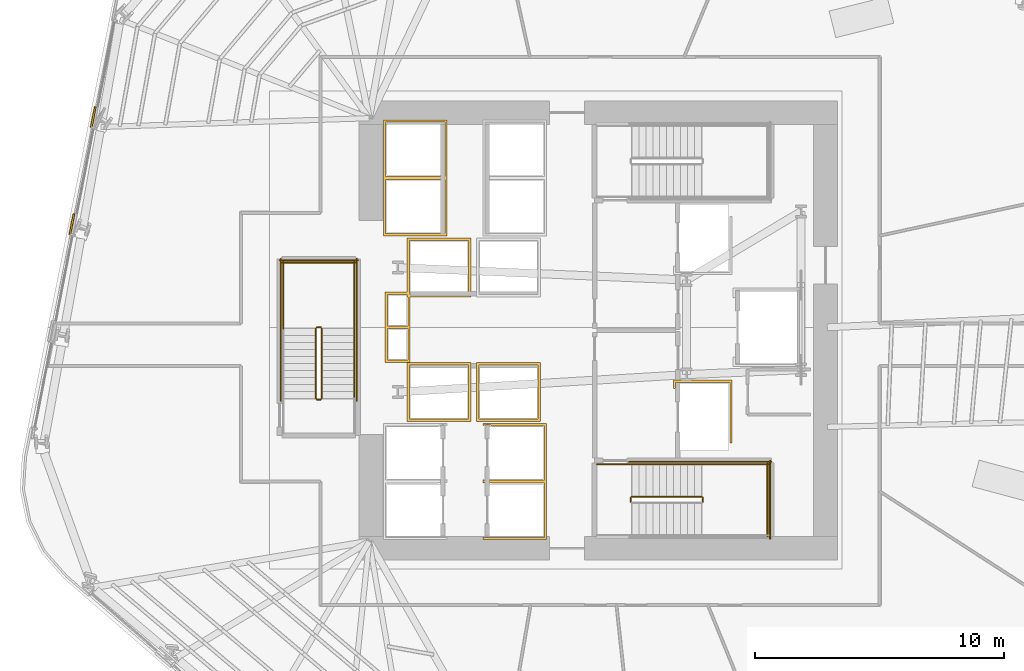
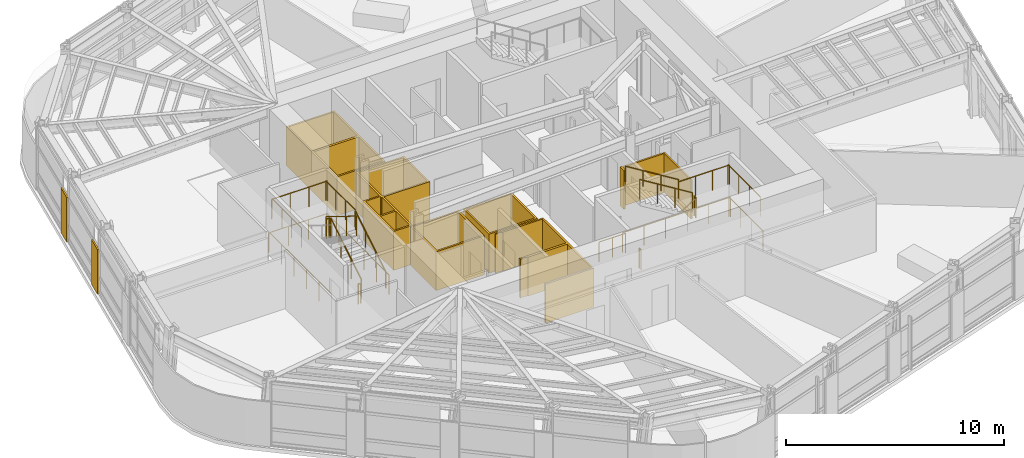
# One storey, part 12 of 16: 20 railings, 8 coverings.
"""IFC4 building model written with IfcOpenShell, lengths in metres."""

import ifcopenshell
import ifcopenshell.guid

model = None  # the IFC model being written
_history = None  # IfcOwnerHistory: only IFC2X3 demands one
_inside = {}  # id of a spatial element -> (the spatial element, [elements in it])
_under = {}  # id of a project, library or spatial element -> (it, [spatial elements below it])
_declared = {}  # id of a project -> (the project, [libraries it declares])
_typed = {}  # id of a type object -> (the type object, [elements of that type])
_made_of = {}  # id of a material, layer set ... -> (it, [elements and type objects made of it])


def new_model(schema):
    """Start an empty IFC model of exactly this schema.

    Asked for "IFC4X3", IfcOpenShell would pick the latest addendum, in which some entities
    have other attributes; the version numbers below select the first issue.
    IFC2X3 requires an IfcOwnerHistory on every rooted entity: one is made here for all.
    """
    global model, _history
    if schema == "IFC4X3":
        model = ifcopenshell.file(schema_version=(4, 3, 0, 0))
    else:
        model = ifcopenshell.file(schema=schema)
    _inside.clear()
    _under.clear()
    _declared.clear()
    _typed.clear()
    _made_of.clear()
    _history = None
    if model.schema == "IFC2X3":
        org = make("IfcOrganization", Name="unknown")
        user = make(
            "IfcPersonAndOrganization",
            ThePerson=make("IfcPerson", FamilyName="unknown"),
            TheOrganization=org,
        )
        app = make(
            "IfcApplication",
            ApplicationDeveloper=org,
            Version="unknown",
            ApplicationFullName="unknown",
            ApplicationIdentifier="unknown",
        )
        _history = make(
            "IfcOwnerHistory",
            OwningUser=user,
            OwningApplication=app,
            ChangeAction="ADDED",
            CreationDate=0,
        )
    return model


def make(cls, **values):
    """One entity of the class cls with the attributes given. An attribute that is None is left unset."""
    return model.create_entity(
        cls, **{name: value for name, value in values.items() if value is not None}
    )


def rooted(cls, **values):
    """An entity with a GlobalId (a new one), such as an element, a storey or a relation."""
    return make(cls, GlobalId=ifcopenshell.guid.new(), OwnerHistory=_history, **values)


def si_unit(unit_type, name, prefix=None):
    """IfcSIUnit, for example si_unit("LENGTHUNIT", "METRE", prefix="MILLI")."""
    return make("IfcSIUnit", UnitType=unit_type, Prefix=prefix, Name=name)


def assignment(units):
    """IfcUnitAssignment: the units of a project."""
    return None if units is None else make("IfcUnitAssignment", Units=units)


def point(xyz):
    """IfcCartesianPoint."""
    return None if xyz is None else make("IfcCartesianPoint", Coordinates=xyz)


def direction(xyz):
    """IfcDirection."""
    return None if xyz is None else make("IfcDirection", DirectionRatios=xyz)


def frame(location, z_axis=None, x_axis=None):
    """IfcAxis2Placement3D, a coordinate frame: its origin and axes. An axis left out is left unset."""
    return make(
        "IfcAxis2Placement3D",
        Location=point(location),
        Axis=direction(z_axis),
        RefDirection=direction(x_axis),
    )


def frame_2d(location, x_axis=None):
    """IfcAxis2Placement2D, a coordinate frame in the plane: its origin and x axis."""
    return make(
        "IfcAxis2Placement2D", Location=point(location), RefDirection=direction(x_axis)
    )


def origin():
    """The frame at (0, 0, 0) with its axes left unset."""
    return frame((0.0, 0.0, 0.0))


def origin_2d():
    """The frame at (0, 0) in the plane with its x axis left unset."""
    return frame_2d((0.0, 0.0))


def place(relative_to, where):
    """IfcLocalPlacement: puts the frame where relative to a parent placement (None: the world)."""
    return make(
        "IfcLocalPlacement", PlacementRelTo=relative_to, RelativePlacement=where
    )


def context(
    kind, dimensions, precision=None, world=None, true_north=None, identifier=None
):
    """IfcGeometricRepresentationContext, for example the 3D "Model" context."""
    return make(
        "IfcGeometricRepresentationContext",
        ContextIdentifier=identifier,
        ContextType=kind,
        CoordinateSpaceDimension=dimensions,
        Precision=precision,
        WorldCoordinateSystem=world,
        TrueNorth=true_north,
    )


def subcontext(parent, identifier, kind, view, scale=None):
    """IfcGeometricRepresentationSubContext, for example "Body" below "Model"."""
    return make(
        "IfcGeometricRepresentationSubContext",
        ContextIdentifier=identifier,
        ContextType=kind,
        ParentContext=parent,
        TargetScale=scale,
        TargetView=view,
    )


def project(units=None, contexts=None):
    """IfcProject with its units and contexts."""
    return rooted(
        "IfcProject",
        Name="project",
        RepresentationContexts=contexts,
        UnitsInContext=assignment(units),
    )


def spatial(cls, under=None, at=None, **own):
    """A site, building, storey or space (cls), placed at a placement, below another one or the project."""
    s = rooted(cls, ObjectPlacement=at, **own)
    if under is not None:
        _under.setdefault(under.id(), (under, []))[1].append(s)
    return s


def polyline(points):
    """IfcPolyline through the points."""
    return make("IfcPolyline", Points=[point(p) for p in points])


def profile(cls, at=None, kind="AREA", **sizes):
    """A parametric profile (cls). Its sizes go by their IFC names, for example OverallWidth=200.0."""
    return make(cls, ProfileType=kind, Position=at, **sizes)


def circle(**sizes):
    """IfcCircleProfileDef."""
    return profile("IfcCircleProfileDef", **sizes)


def outline(outer, holes=None, kind="AREA"):
    """IfcArbitraryClosedProfileDef: a profile drawn as a closed curve; with holes, ...WithVoids."""
    if holes is None:
        return make("IfcArbitraryClosedProfileDef", ProfileType=kind, OuterCurve=outer)
    return make(
        "IfcArbitraryProfileDefWithVoids",
        ProfileType=kind,
        OuterCurve=outer,
        InnerCurves=holes,
    )


def extrude(swept, where, along, depth):
    """IfcExtrudedAreaSolid: the profile swept, set in the frame where, extruded along a direction by depth."""
    return make(
        "IfcExtrudedAreaSolid",
        SweptArea=swept,
        Position=where,
        ExtrudedDirection=direction(along),
        Depth=depth,
    )


def shape(context_of_items, identifier, shape_type, items):
    """IfcShapeRepresentation: the items that make up one representation, for example the "Body"."""
    return make(
        "IfcShapeRepresentation",
        ContextOfItems=context_of_items,
        RepresentationIdentifier=identifier,
        RepresentationType=shape_type,
        Items=items,
    )


def material(Name=None, Category=None):
    """IfcMaterial."""
    return make("IfcMaterial", Name=Name, Category=Category)


def layer(
    of_material, thickness, ventilated=None, Name=None, Category=None, Priority=None
):
    """IfcMaterialLayer: one layer of a wall or slab, of a material (None: an air gap)."""
    return make(
        "IfcMaterialLayer",
        Material=of_material,
        LayerThickness=thickness,
        IsVentilated=ventilated,
        Name=Name,
        Category=Category,
        Priority=Priority,
    )


def layer_set(layers, Name=None):
    """IfcMaterialLayerSet."""
    return make("IfcMaterialLayerSet", MaterialLayers=layers, LayerSetName=Name)


def made_of(thing, what):
    """Note that an element or type object is made of a material, layer set ...; save() writes the relation."""
    if what is not None:
        _made_of.setdefault(what.id(), (what, []))[1].append(thing)
    return thing


def type_object(cls, material=None, **own):
    """A type object (cls), such as IfcWallType, which elements share."""
    return made_of(rooted(cls, **own), material)


def element(
    cls,
    number,
    at=None,
    inside=None,
    cuts=None,
    type_object=None,
    material=None,
    context=None,
    identifier="Body",
    shape_type=None,
    held_by="IfcProductDefinitionShape",
    body=None,
    shapes=None,
    **own,
):
    """One element of the class cls, such as IfcWall. Its Tag is "e" and its number.

    at: its placement. inside: the storey or other place that contains it. cuts: it is an
    opening in that element (IfcRelVoidsElement). A single representation is given by context,
    identifier, shape_type and body (its items); several are given by shapes. held_by: the class
    of the entity that holds the representations. save() writes the other relations.
    """
    e = rooted(cls, Tag="e%d" % number, ObjectPlacement=at, **own)
    if body is not None:
        shapes = [shape(context, identifier, shape_type, body)]
    if shapes is not None:
        e.Representation = make(held_by, Representations=shapes)
    if inside is not None:
        _inside.setdefault(inside.id(), (inside, []))[1].append(e)
    if cuts is not None:
        rooted(
            "IfcRelVoidsElement", RelatingBuildingElement=cuts, RelatedOpeningElement=e
        )
    if type_object is not None:
        _typed.setdefault(type_object.id(), (type_object, []))[1].append(e)
    return made_of(e, material)


def aggregate(whole, parts):
    """IfcRelAggregates: a whole, such as a stair, and the parts it consists of."""
    return rooted("IfcRelAggregates", RelatingObject=whole, RelatedObjects=parts)


def save(model, path):
    """Write the relations noted so far, then the file.

    IfcRelAggregates (storeys below a building ...), IfcRelContainedInSpatialStructure (elements
    in a storey), IfcRelDefinesByType, IfcRelAssociatesMaterial and IfcRelDeclares: one each for
    every whole, place, type object, material and project.
    """
    for whole, parts in _under.values():
        aggregate(whole, parts)
    for where, things in _inside.values():
        rooted(
            "IfcRelContainedInSpatialStructure",
            RelatedElements=things,
            RelatingStructure=where,
        )
    for kind, things in _typed.values():
        rooted("IfcRelDefinesByType", RelatedObjects=things, RelatingType=kind)
    for what, things in _made_of.values():
        rooted("IfcRelAssociatesMaterial", RelatedObjects=things, RelatingMaterial=what)
    for by, libraries in _declared.values():
        rooted("IfcRelDeclares", RelatingContext=by, RelatedDefinitions=libraries)
    model.write(path)


model = new_model("IFC4")

# Units and contexts
model_context = context("Model", 3, precision=1e-05, world=origin(), true_north=direction((0.0, 1.0)))
body_context = subcontext(model_context, "Body", "Model", "MODEL_VIEW")
ifc_project = project(units=[si_unit("LENGTHUNIT", "METRE"), si_unit("AREAUNIT", "SQUARE_METRE"), si_unit("VOLUMEUNIT", "CUBIC_METRE"), si_unit("PLANEANGLEUNIT", "RADIAN"), si_unit("MASSUNIT", "GRAM", prefix="KILO")], contexts=[model_context])

# Site, building, storey
site_placement = place(None, origin())
site = spatial("IfcSite", under=ifc_project, at=site_placement, CompositionType="ELEMENT")
building_placement = place(site_placement, origin())
building = spatial("IfcBuilding", under=site, at=building_placement, Name="Valkerne Bourse Tower", CompositionType="ELEMENT")
storey_placement = place(building_placement, frame((0.0, 0.0, 104.800048828125)))
storey = spatial("IfcBuildingStorey", under=building, at=storey_placement, Name="L26", CompositionType="ELEMENT", Elevation=104.800048828125)

# Coverings
ifc_material_1 = material(Name="Bronze Anodised Aluminium AA 6063-T6", Category="aluminium")
ifc_layer_1 = layer(ifc_material_1, 0.06005859375)
ifc_layer_set_1 = layer_set([ifc_layer_1], Name="Bronze Anodised Aluminium AA 6063-T6")
covering_type_1 = type_object("IfcCoveringType", Name="COV-CRN-ALUM", PredefinedType="CLADDING", material=ifc_layer_set_1)
covering_1_placement = place(storey_placement, origin())
element("IfcCovering", 1, at=covering_1_placement, inside=storey, type_object=covering_type_1, Name="L26 Wind-Shaped Corner Aluminium Cladding 11", PredefinedType="CLADDING", context=body_context, shape_type="SweptSolid", body=[
    extrude(outline(polyline([(25.705078125, 31.566650390625), (25.783447265625, 31.55126953125), (25.619140625, 30.7275390625), (25.54052734375, 30.742919921875), (25.705078125, 31.566650390625)])), origin(), (0.0, 0.0, 1.0), 2.5),
])
covering_2_placement = place(storey_placement, origin())
element("IfcCovering", 2, at=covering_2_placement, inside=storey, type_object=covering_type_1, Name="L26 Wind-Shaped Corner Aluminium Cladding 12", PredefinedType="CLADDING", context=body_context, shape_type="SweptSolid", body=[
    extrude(outline(polyline([(26.5625, 35.864990234375), (26.64111328125, 35.849609375), (26.476806640625, 35.02587890625), (26.398193359375, 35.041259765625), (26.5625, 35.864990234375)])), origin(), (0.0, 0.0, 1.0), 2.5),
])
ifc_material_2 = material(Name="Gypsum Shaftwall Liner Board", Category="gypsum")
ifc_layer_2 = layer(ifc_material_2, 0.080078125)
ifc_layer_set_2 = layer_set([ifc_layer_2], Name="Gypsum Shaftwall Liner Board")
covering_type_2 = type_object("IfcCoveringType", Name="COV-SHF-CLAD", PredefinedType="CLADDING", material=ifc_layer_set_2)
covering_3_placement = place(storey_placement, origin())
element("IfcCovering", 3, at=covering_3_placement, inside=storey, type_object=covering_type_2, Name="L26 Hoistway & Riser Shaftwall Liner 02", PredefinedType="CLADDING", context=body_context, shape_type="SweptSolid", body=[
    extrude(outline(polyline([(41.679931640625, 23.219970703125), (39.1201171875, 23.219970703125), (39.1201171875, 25.580078125), (41.679931640625, 25.580078125), (41.679931640625, 23.219970703125)]), holes=[polyline([(39.2099609375, 25.489990234375), (39.2099609375, 23.31005859375), (41.590087890625, 23.31005859375), (41.590087890625, 25.489990234375), (39.2099609375, 25.489990234375)])]), origin(), (0.0, 0.0, 1.0), 2.179931640625),
])
covering_4_placement = place(storey_placement, origin())
element("IfcCovering", 4, at=covering_4_placement, inside=storey, type_object=covering_type_2, Name="L26 Hoistway & Riser Shaftwall Liner 03", PredefinedType="CLADDING", context=body_context, shape_type="SweptSolid", body=[
    extrude(outline(polyline([(44.47998046875, 23.219970703125), (41.919921875, 23.219970703125), (41.919921875, 25.580078125), (44.47998046875, 25.580078125), (44.47998046875, 23.219970703125)]), holes=[polyline([(42.010009765625, 25.489990234375), (42.010009765625, 23.31005859375), (44.389892578125, 23.31005859375), (44.389892578125, 25.489990234375), (42.010009765625, 25.489990234375)])]), origin(), (0.0, 0.0, 1.0), 2.179931640625),
])
covering_5_placement = place(storey_placement, origin())
element("IfcCovering", 5, at=covering_5_placement, inside=storey, type_object=covering_type_2, Name="L26 Hoistway & Riser Shaftwall Liner 04", PredefinedType="CLADDING", context=body_context, shape_type="SweptSolid", body=[
    extrude(outline(polyline([(38.239990234375, 28.409912109375), (39.1201171875, 28.409912109375), (39.1201171875, 30.580078125), (41.679931640625, 30.580078125), (41.679931640625, 28.219970703125), (39.239990234375, 28.219970703125), (39.239990234375, 27.0400390625), (39.239990234375, 26.9599609375), (39.239990234375, 25.590087890625), (38.239990234375, 25.590087890625), (38.239990234375, 26.9599609375), (38.239990234375, 27.0400390625), (38.239990234375, 28.409912109375)]), holes=[polyline([(39.2099609375, 30.489990234375), (39.2099609375, 28.409912109375), (39.239990234375, 28.409912109375), (39.239990234375, 28.31005859375), (41.590087890625, 28.31005859375), (41.590087890625, 30.489990234375), (39.2099609375, 30.489990234375)]), polyline([(38.330078125, 26.949951171875), (38.330078125, 25.679931640625), (39.14990234375, 25.679931640625), (39.14990234375, 26.949951171875), (38.330078125, 26.949951171875)]), polyline([(39.1201171875, 28.219970703125), (39.1201171875, 28.320068359375), (38.330078125, 28.320068359375), (38.330078125, 27.050048828125), (39.14990234375, 27.050048828125), (39.14990234375, 28.219970703125), (39.1201171875, 28.219970703125)])]), origin(), (0.0, 0.0, 1.0), 2.179931640625),
])
covering_6_placement = place(storey_placement, origin())
element("IfcCovering", 6, at=covering_6_placement, inside=storey, type_object=covering_type_2, Name="L26 Hoistway & Riser Shaftwall Liner 05", PredefinedType="CLADDING", context=body_context, shape_type="SweptSolid", body=[
    extrude(outline(polyline([(38.169921875, 35.330078125), (40.72998046875, 35.330078125), (40.72998046875, 33.030029296875), (40.72998046875, 32.969970703125), (40.72998046875, 30.669921875), (38.169921875, 30.669921875), (38.169921875, 32.969970703125), (38.169921875, 33.030029296875), (38.169921875, 35.330078125)]), holes=[polyline([(38.260009765625, 32.93994140625), (38.260009765625, 30.760009765625), (40.639892578125, 30.760009765625), (40.639892578125, 32.93994140625), (38.260009765625, 32.93994140625)]), polyline([(38.260009765625, 35.239990234375), (38.260009765625, 33.06005859375), (40.639892578125, 33.06005859375), (40.639892578125, 35.239990234375), (38.260009765625, 35.239990234375)])]), origin(), (0.0, 0.0, 1.0), 2.179931640625),
])
covering_7_placement = place(storey_placement, origin())
element("IfcCovering", 7, at=covering_7_placement, inside=storey, type_object=covering_type_2, Name="L26 Hoistway & Riser Shaftwall Liner 06", PredefinedType="CLADDING", context=body_context, shape_type="SweptSolid", body=[
    extrude(outline(polyline([(42.169921875, 20.830078125), (42.169921875, 20.887939453125), (42.177734375, 20.88427734375), (42.219482421875, 20.869384765625), (42.26220703125, 20.858642578125), (42.305908203125, 20.852294921875), (42.35009765625, 20.85009765625), (42.39404296875, 20.852294921875), (42.437744140625, 20.858642578125), (42.443115234375, 20.860107421875), (44.639892578125, 20.860107421875), (44.639892578125, 23.0400390625), (42.555419921875, 23.0400390625), (42.522216796875, 23.0556640625), (42.480712890625, 23.070556640625), (42.437744140625, 23.081298828125), (42.39404296875, 23.087890625), (42.35009765625, 23.090087890625), (42.305908203125, 23.087890625), (42.26220703125, 23.081298828125), (42.219482421875, 23.070556640625), (42.177734375, 23.0556640625), (42.169921875, 23.052001953125), (42.169921875, 23.1298828125), (44.72998046875, 23.1298828125), (44.72998046875, 20.830078125), (44.72998046875, 20.77001953125), (44.72998046875, 18.469970703125), (42.169921875, 18.469970703125), (42.169921875, 18.587890625), (42.177734375, 18.584228515625), (42.219482421875, 18.5693359375), (42.26220703125, 18.55859375), (42.305908203125, 18.55224609375), (42.35009765625, 18.550048828125), (42.39404296875, 18.55224609375), (42.437744140625, 18.55859375), (42.443115234375, 18.56005859375), (44.639892578125, 18.56005859375), (44.639892578125, 20.739990234375), (42.555419921875, 20.739990234375), (42.522216796875, 20.755615234375), (42.480712890625, 20.7705078125), (42.437744140625, 20.781494140625), (42.39404296875, 20.787841796875), (42.35009765625, 20.7900390625), (42.305908203125, 20.787841796875), (42.26220703125, 20.781494140625), (42.219482421875, 20.7705078125), (42.177734375, 20.755615234375), (42.169921875, 20.752197265625), (42.169921875, 20.77001953125), (42.169921875, 20.830078125)])), origin(), (0.0, 0.0, 1.0), 2.179931640625),
])
covering_8_placement = place(storey_placement, origin())
element("IfcCovering", 8, at=covering_8_placement, inside=storey, type_object=covering_type_2, Name="L26 Hoistway & Riser Shaftwall Liner 07", PredefinedType="CLADDING", context=body_context, shape_type="SweptSolid", body=[
    extrude(outline(polyline([(52.179931640625, 22.35009765625), (52.090087890625, 22.35009765625), (52.090087890625, 24.7900390625), (49.909912109375, 24.7900390625), (49.909912109375, 24.560791015625), (49.869384765625, 24.550537109375), (49.827880859375, 24.53564453125), (49.820068359375, 24.531982421875), (49.820068359375, 24.8798828125), (52.179931640625, 24.8798828125), (52.179931640625, 22.35009765625)])), origin(), (0.0, 0.0, 1.0), 2.179931640625),
])

# Railings
ifc_material_3 = material(Name="Galvanised Painted Steel", Category="steel")
railing_type_1 = type_object("IfcRailingType", Name="RLG-ST-GUARD-1120", PredefinedType="GUARDRAIL", material=ifc_material_3)
railing_1_placement = place(storey_placement, frame((51.0, 20.0, 1.89990234375)))
element("IfcRailing", 9, at=railing_1_placement, inside=storey, type_object=railing_type_1, Name="L26 ST-1 stair guard 2", PredefinedType="GUARDRAIL", context=body_context, shape_type="SweptSolid", body=[
    extrude(circle(Radius=0.02392578125, at=origin_2d()), frame((0.0, 0.0, 1.09619140625), z_axis=(0.0, 1.0, 0.0), x_axis=(-1.0, 0.0, 0.0)), (0.0, 0.0, 1.0), 0.14990234375),
    extrude(circle(Radius=0.02099609375, at=origin_2d()), origin(), (0.0, 0.0, 1.0), 1.072021484375),
    extrude(circle(Radius=0.02099609375, at=origin_2d()), frame((0.0, 0.14990234375, 0.0)), (0.0, 0.0, 1.0), 1.072021484375),
])
railing_2_placement = place(storey_placement, frame((50.949951171875, 21.5, 1.89990234375)))
element("IfcRailing", 10, at=railing_2_placement, inside=storey, type_object=railing_type_1, Name="L26 ST-1 stair guard 4", PredefinedType="GUARDRAIL", context=body_context, shape_type="SweptSolid", body=[
    extrude(circle(Radius=0.02392578125, at=origin_2d()), frame((0.0, 0.0, 1.09619140625), z_axis=(1.0, 0.0, 0.0), x_axis=(0.0, 1.0, 0.0)), (0.0, 0.0, 1.0), 2.699951171875),
    extrude(circle(Radius=0.02099609375, at=origin_2d()), origin(), (0.0, 0.0, 1.0), 1.072021484375),
    extrude(circle(Radius=0.02099609375, at=origin_2d()), frame((0.89990234375, 0.0, 0.0)), (0.0, 0.0, 1.0), 1.072021484375),
    extrude(circle(Radius=0.02099609375, at=origin_2d()), frame((1.800048828125, 0.0, 0.0)), (0.0, 0.0, 1.0), 1.072021484375),
    extrude(circle(Radius=0.02099609375, at=origin_2d()), frame((2.699951171875, 0.0, 0.0)), (0.0, 0.0, 1.0), 1.072021484375),
])
railing_3_placement = place(storey_placement, frame((53.60009765625, 18.60009765625, 1.89990234375)))
element("IfcRailing", 11, at=railing_3_placement, inside=storey, type_object=railing_type_1, Name="L26 ST-1 stair guard 5", PredefinedType="GUARDRAIL", context=body_context, shape_type="SweptSolid", body=[
    extrude(circle(Radius=0.02392578125, at=origin_2d()), frame((0.0, 0.0, 1.09619140625), z_axis=(0.0, 1.0, 0.0), x_axis=(-1.0, 0.0, 0.0)), (0.0, 0.0, 1.0), 2.949951171875),
    extrude(circle(Radius=0.02099609375, at=origin_2d()), origin(), (0.0, 0.0, 1.0), 1.072021484375),
    extrude(circle(Radius=0.02099609375, at=origin_2d()), frame((0.0, 0.9833984375, 0.0)), (0.0, 0.0, 1.0), 1.072021484375),
    extrude(circle(Radius=0.02099609375, at=origin_2d()), frame((0.0, 1.966552734375, 0.0)), (0.0, 0.0, 1.0), 1.072021484375),
    extrude(circle(Radius=0.02099609375, at=origin_2d()), frame((0.0, 2.949951171875, 0.0)), (0.0, 0.0, 1.0), 1.072021484375),
])
railing_4_placement = place(storey_placement, frame((50.949951171875, 20.199951171875, 2.07275390625)))
element("IfcRailing", 12, at=railing_4_placement, inside=storey, type_object=railing_type_1, Name="L26 ST-1 stair guard 6", PredefinedType="GUARDRAIL", context=body_context, shape_type="SweptSolid", body=[
    extrude(circle(Radius=0.02392578125, at=origin_2d()), frame((0.0, 0.0, 1.09619140625), z_axis=(-0.851089632645, 0.0, 0.525020415988), x_axis=(0.0, -1.0, 0.0)), (0.0, 0.0, 1.0), 3.2900390625),
    extrude(circle(Radius=0.02099609375, at=origin_2d()), origin(), (0.0, 0.0, 1.0), 1.072021484375),
    extrude(circle(Radius=0.02099609375, at=origin_2d()), frame((-0.933349609375, 0.0, 0.57568359375)), (0.0, 0.0, 1.0), 1.072021484375),
    extrude(circle(Radius=0.02099609375, at=origin_2d()), frame((-1.86669921875, 0.0, 1.151611328125)), (0.0, 0.0, 1.0), 1.072021484375),
    extrude(circle(Radius=0.02099609375, at=origin_2d()), frame((-2.800048828125, 0.0, 1.727294921875)), (0.0, 0.0, 1.0), 1.072021484375),
])
railing_5_placement = place(storey_placement, frame((48.10009765625, 20.0, 0.0)))
element("IfcRailing", 13, at=railing_5_placement, inside=storey, type_object=railing_type_1, Name="L26 ST-1 stair guard 7", PredefinedType="GUARDRAIL", context=body_context, shape_type="SweptSolid", body=[
    extrude(circle(Radius=0.02392578125, at=origin_2d()), frame((0.0, 0.0, 1.09619140625), z_axis=(0.0, 1.0, 0.0), x_axis=(-1.0, 0.0, 0.0)), (0.0, 0.0, 1.0), 0.14990234375),
    extrude(circle(Radius=0.02099609375, at=origin_2d()), origin(), (0.0, 0.0, 1.0), 1.072021484375),
    extrude(circle(Radius=0.02099609375, at=origin_2d()), frame((0.0, 0.14990234375, 0.0)), (0.0, 0.0, 1.0), 1.072021484375),
])
railing_6_placement = place(storey_placement, frame((46.75, 21.5, 0.0)))
element("IfcRailing", 14, at=railing_6_placement, inside=storey, type_object=railing_type_1, Name="L26 ST-1 stair guard 9", PredefinedType="GUARDRAIL", context=body_context, shape_type="SweptSolid", body=[
    extrude(circle(Radius=0.02392578125, at=origin_2d()), frame((0.0, 0.0, 1.09619140625), z_axis=(1.0, 0.0, 0.0), x_axis=(0.0, 1.0, 0.0)), (0.0, 0.0, 1.0), 1.39990234375),
    extrude(circle(Radius=0.02099609375, at=origin_2d()), origin(), (0.0, 0.0, 1.0), 1.072021484375),
    extrude(circle(Radius=0.02099609375, at=origin_2d()), frame((0.699951171875, 0.0, 0.0)), (0.0, 0.0, 1.0), 1.072021484375),
    extrude(circle(Radius=0.02099609375, at=origin_2d()), frame((1.39990234375, 0.0, 0.0)), (0.0, 0.0, 1.0), 1.072021484375),
])
railing_7_placement = place(storey_placement, frame((48.050048828125, 21.60009765625, 0.0)))
element("IfcRailing", 15, at=railing_7_placement, inside=storey, type_object=railing_type_1, Name="L26 ST-1 stair guard 11", PredefinedType="GUARDRAIL", context=body_context, shape_type="SweptSolid", body=[
    extrude(circle(Radius=0.02392578125, at=origin_2d()), frame((0.0, 0.0, 1.09619140625), z_axis=(1.0, 0.0, 0.0), x_axis=(0.0, 1.0, 0.0)), (0.0, 0.0, 1.0), 5.699951171875),
    extrude(circle(Radius=0.02099609375, at=origin_2d()), origin(), (0.0, 0.0, 1.0), 1.072021484375),
    extrude(circle(Radius=0.02099609375, at=origin_2d()), frame((1.139892578125, 0.0, 0.0)), (0.0, 0.0, 1.0), 1.072021484375),
    extrude(circle(Radius=0.02099609375, at=origin_2d()), frame((2.280029296875, 0.0, 0.0)), (0.0, 0.0, 1.0), 1.072021484375),
    extrude(circle(Radius=0.02099609375, at=origin_2d()), frame((3.419921875, 0.0, 0.0)), (0.0, 0.0, 1.0), 1.072021484375),
    extrude(circle(Radius=0.02099609375, at=origin_2d()), frame((4.56005859375, 0.0, 0.0)), (0.0, 0.0, 1.0), 1.072021484375),
    extrude(circle(Radius=0.02099609375, at=origin_2d()), frame((5.699951171875, 0.0, 0.0)), (0.0, 0.0, 1.0), 1.072021484375),
])
railing_8_placement = place(storey_placement, frame((53.699951171875, 18.5, 0.0)))
element("IfcRailing", 16, at=railing_8_placement, inside=storey, type_object=railing_type_1, Name="L26 ST-1 stair guard 12", PredefinedType="GUARDRAIL", context=body_context, shape_type="SweptSolid", body=[
    extrude(circle(Radius=0.02392578125, at=origin_2d()), frame((0.0, 0.0, 1.09619140625), z_axis=(0.0, 1.0, 0.0), x_axis=(-1.0, 0.0, 0.0)), (0.0, 0.0, 1.0), 3.14990234375),
    extrude(circle(Radius=0.02099609375, at=origin_2d()), origin(), (0.0, 0.0, 1.0), 1.072021484375),
    extrude(circle(Radius=0.02099609375, at=origin_2d()), frame((0.0, 1.050048828125, 0.0)), (0.0, 0.0, 1.0), 1.072021484375),
    extrude(circle(Radius=0.02099609375, at=origin_2d()), frame((0.0, 2.099853515625, 0.0)), (0.0, 0.0, 1.0), 1.072021484375),
    extrude(circle(Radius=0.02099609375, at=origin_2d()), frame((0.0, 3.14990234375, 0.0)), (0.0, 0.0, 1.0), 1.072021484375),
])
railing_9_placement = place(storey_placement, frame((35.699951171875, 24.14990234375, 0.172607421875)))
element("IfcRailing", 17, at=railing_9_placement, inside=storey, type_object=railing_type_1, Name="L26 ST-3 stair guard 1", PredefinedType="GUARDRAIL", context=body_context, shape_type="SweptSolid", body=[
    extrude(circle(Radius=0.02392578125, at=origin_2d()), frame((0.0, 0.0, 1.09619140625), z_axis=(0.0, 0.851089632645, 0.525020415988), x_axis=(-1.0, 0.0, 0.0)), (0.0, 0.0, 1.0), 3.2900390625),
    extrude(circle(Radius=0.02099609375, at=origin_2d()), origin(), (0.0, 0.0, 1.0), 1.072021484375),
    extrude(circle(Radius=0.02099609375, at=origin_2d()), frame((0.0, 0.933349609375, 0.57568359375)), (0.0, 0.0, 1.0), 1.072021484375),
    extrude(circle(Radius=0.02099609375, at=origin_2d()), frame((0.0, 1.86669921875, 1.151611328125)), (0.0, 0.0, 1.0), 1.072021484375),
    extrude(circle(Radius=0.02099609375, at=origin_2d()), frame((0.0, 2.800048828125, 1.727294921875)), (0.0, 0.0, 1.0), 1.072021484375),
])
railing_10_placement = place(storey_placement, frame((35.64990234375, 27.0, 1.89990234375)))
element("IfcRailing", 18, at=railing_10_placement, inside=storey, type_object=railing_type_1, Name="L26 ST-3 stair guard 2", PredefinedType="GUARDRAIL", context=body_context, shape_type="SweptSolid", body=[
    extrude(circle(Radius=0.02392578125, at=origin_2d()), frame((0.0, 0.0, 1.09619140625), z_axis=(-1.0, 0.0, 0.0), x_axis=(0.0, -1.0, 0.0)), (0.0, 0.0, 1.0), 0.14990234375),
    extrude(circle(Radius=0.02099609375, at=origin_2d()), origin(), (0.0, 0.0, 1.0), 1.072021484375),
    extrude(circle(Radius=0.02099609375, at=origin_2d()), frame((-0.14990234375, 0.0, 0.0)), (0.0, 0.0, 1.0), 1.072021484375),
])
for number, where, name in (
    (19, (37.0, 26.949951171875, 1.89990234375), "L26 ST-3 stair guard 3"),
    (20, (34.14990234375, 26.949951171875, 1.89990234375), "L26 ST-3 stair guard 4"),
):
    element("IfcRailing", number, at=place(storey_placement, frame(where)), inside=storey, type_object=railing_type_1, Name=name, PredefinedType="GUARDRAIL", context=body_context, shape_type="SweptSolid", body=[
        extrude(circle(Radius=0.02392578125, at=origin_2d()), frame((0.0, 0.0, 1.09619140625), z_axis=(0.0, 1.0, 0.0), x_axis=(-1.0, 0.0, 0.0)), (0.0, 0.0, 1.0), 2.699951171875),
        extrude(circle(Radius=0.02099609375, at=origin_2d()), origin(), (0.0, 0.0, 1.0), 1.072021484375),
        extrude(circle(Radius=0.02099609375, at=origin_2d()), frame((0.0, 0.89990234375, 0.0)), (0.0, 0.0, 1.0), 1.072021484375),
        extrude(circle(Radius=0.02099609375, at=origin_2d()), frame((0.0, 1.800048828125, 0.0)), (0.0, 0.0, 1.0), 1.072021484375),
        extrude(circle(Radius=0.02099609375, at=origin_2d()), frame((0.0, 2.699951171875, 0.0)), (0.0, 0.0, 1.0), 1.072021484375),
    ])
railing_11_placement = place(storey_placement, frame((37.050048828125, 29.60009765625, 1.89990234375)))
element("IfcRailing", 21, at=railing_11_placement, inside=storey, type_object=railing_type_1, Name="L26 ST-3 stair guard 5", PredefinedType="GUARDRAIL", context=body_context, shape_type="SweptSolid", body=[
    extrude(circle(Radius=0.02392578125, at=origin_2d()), frame((0.0, 0.0, 1.09619140625), z_axis=(-1.0, 0.0, 0.0), x_axis=(0.0, -1.0, 0.0)), (0.0, 0.0, 1.0), 2.949951171875),
    extrude(circle(Radius=0.02099609375, at=origin_2d()), origin(), (0.0, 0.0, 1.0), 1.072021484375),
    extrude(circle(Radius=0.02099609375, at=origin_2d()), frame((-0.9833984375, 0.0, 0.0)), (0.0, 0.0, 1.0), 1.072021484375),
    extrude(circle(Radius=0.02099609375, at=origin_2d()), frame((-1.966552734375, 0.0, 0.0)), (0.0, 0.0, 1.0), 1.072021484375),
    extrude(circle(Radius=0.02099609375, at=origin_2d()), frame((-2.949951171875, 0.0, 0.0)), (0.0, 0.0, 1.0), 1.072021484375),
])
railing_12_placement = place(storey_placement, frame((35.449951171875, 26.949951171875, 2.07275390625)))
element("IfcRailing", 22, at=railing_12_placement, inside=storey, type_object=railing_type_1, Name="L26 ST-3 stair guard 6", PredefinedType="GUARDRAIL", context=body_context, shape_type="SweptSolid", body=[
    extrude(circle(Radius=0.02392578125, at=origin_2d()), frame((0.0, 0.0, 1.09619140625), z_axis=(0.0, -0.851089632645, 0.525020415988), x_axis=(1.0, 0.0, 0.0)), (0.0, 0.0, 1.0), 3.2900390625),
    extrude(circle(Radius=0.02099609375, at=origin_2d()), origin(), (0.0, 0.0, 1.0), 1.072021484375),
    extrude(circle(Radius=0.02099609375, at=origin_2d()), frame((0.0, -0.933349609375, 0.57568359375)), (0.0, 0.0, 1.0), 1.072021484375),
    extrude(circle(Radius=0.02099609375, at=origin_2d()), frame((0.0, -1.86669921875, 1.151611328125)), (0.0, 0.0, 1.0), 1.072021484375),
    extrude(circle(Radius=0.02099609375, at=origin_2d()), frame((0.0, -2.800048828125, 1.727294921875)), (0.0, 0.0, 1.0), 1.072021484375),
])
railing_13_placement = place(storey_placement, frame((35.64990234375, 24.10009765625, 0.0)))
element("IfcRailing", 23, at=railing_13_placement, inside=storey, type_object=railing_type_1, Name="L26 ST-3 stair guard 7", PredefinedType="GUARDRAIL", context=body_context, shape_type="SweptSolid", body=[
    extrude(circle(Radius=0.02392578125, at=origin_2d()), frame((0.0, 0.0, 1.09619140625), z_axis=(-1.0, 0.0, 0.0), x_axis=(0.0, -1.0, 0.0)), (0.0, 0.0, 1.0), 0.14990234375),
    extrude(circle(Radius=0.02099609375, at=origin_2d()), origin(), (0.0, 0.0, 1.0), 1.072021484375),
    extrude(circle(Radius=0.02099609375, at=origin_2d()), frame((-0.14990234375, 0.0, 0.0)), (0.0, 0.0, 1.0), 1.072021484375),
])
for number, where, name in (
    (24, (37.10009765625, 24.050048828125, 0.0), "L26 ST-3 stair guard 10"),
    (25, (34.050048828125, 24.050048828125, 0.0), "L26 ST-3 stair guard 11"),
):
    element("IfcRailing", number, at=place(storey_placement, frame(where)), inside=storey, type_object=railing_type_1, Name=name, PredefinedType="GUARDRAIL", context=body_context, shape_type="SweptSolid", body=[
        extrude(circle(Radius=0.02392578125, at=origin_2d()), frame((0.0, 0.0, 1.09619140625), z_axis=(0.0, 1.0, 0.0), x_axis=(-1.0, 0.0, 0.0)), (0.0, 0.0, 1.0), 5.699951171875),
        extrude(circle(Radius=0.02099609375, at=origin_2d()), origin(), (0.0, 0.0, 1.0), 1.072021484375),
        extrude(circle(Radius=0.02099609375, at=origin_2d()), frame((0.0, 1.139892578125, 0.0)), (0.0, 0.0, 1.0), 1.072021484375),
        extrude(circle(Radius=0.02099609375, at=origin_2d()), frame((0.0, 2.280029296875, 0.0)), (0.0, 0.0, 1.0), 1.072021484375),
        extrude(circle(Radius=0.02099609375, at=origin_2d()), frame((0.0, 3.419921875, 0.0)), (0.0, 0.0, 1.0), 1.072021484375),
        extrude(circle(Radius=0.02099609375, at=origin_2d()), frame((0.0, 4.56005859375, 0.0)), (0.0, 0.0, 1.0), 1.072021484375),
        extrude(circle(Radius=0.02099609375, at=origin_2d()), frame((0.0, 5.699951171875, 0.0)), (0.0, 0.0, 1.0), 1.072021484375),
    ])
railing_14_placement = place(storey_placement, frame((37.14990234375, 29.699951171875, 0.0)))
element("IfcRailing", 26, at=railing_14_placement, inside=storey, type_object=railing_type_1, Name="L26 ST-3 stair guard 12", PredefinedType="GUARDRAIL", context=body_context, shape_type="SweptSolid", body=[
    extrude(circle(Radius=0.02392578125, at=origin_2d()), frame((0.0, 0.0, 1.09619140625), z_axis=(-1.0, 0.0, 0.0), x_axis=(0.0, -1.0, 0.0)), (0.0, 0.0, 1.0), 3.14990234375),
    extrude(circle(Radius=0.02099609375, at=origin_2d()), origin(), (0.0, 0.0, 1.0), 1.072021484375),
    extrude(circle(Radius=0.02099609375, at=origin_2d()), frame((-1.050048828125, 0.0, 0.0)), (0.0, 0.0, 1.0), 1.072021484375),
    extrude(circle(Radius=0.02099609375, at=origin_2d()), frame((-2.099853515625, 0.0, 0.0)), (0.0, 0.0, 1.0), 1.072021484375),
    extrude(circle(Radius=0.02099609375, at=origin_2d()), frame((-3.14990234375, 0.0, 0.0)), (0.0, 0.0, 1.0), 1.072021484375),
])
ifc_material_4 = material(Name="Stainless Steel AISI 316", Category="steel")
railing_type_2 = type_object("IfcRailingType", Name="RLG-ST-HANDRAIL-900", PredefinedType="HANDRAIL", material=ifc_material_4)
railing_15_placement = place(storey_placement, frame((50.949951171875, 21.5, 2.245361328125)))
element("IfcRailing", 27, at=railing_15_placement, inside=storey, type_object=railing_type_2, Name="L26 ST-1 stair handrail 2", PredefinedType="HANDRAIL", context=body_context, shape_type="SweptSolid", body=[
    extrude(circle(Radius=0.02392578125, at=origin_2d()), frame((0.0, 0.0, 0.8759765625), z_axis=(-0.851089632645, 0.0, 0.525020415988), x_axis=(0.0, -1.0, 0.0)), (0.0, 0.0, 1.0), 3.2900390625),
    extrude(circle(Radius=0.02099609375, at=origin_2d()), origin(), (0.0, 0.0, 1.0), 0.851806640625),
    extrude(circle(Radius=0.02099609375, at=origin_2d()), frame((-0.933349609375, 0.0, 0.57568359375)), (0.0, 0.0, 1.0), 0.851806640625),
    extrude(circle(Radius=0.02099609375, at=origin_2d()), frame((-1.86669921875, 0.0, 1.151611328125)), (0.0, 0.0, 1.0), 0.851806640625),
    extrude(circle(Radius=0.02099609375, at=origin_2d()), frame((-2.800048828125, 0.0, 1.727294921875)), (0.0, 0.0, 1.0), 0.851806640625),
])
railing_16_placement = place(storey_placement, frame((37.0, 24.14990234375, 0.345458984375)))
element("IfcRailing", 28, at=railing_16_placement, inside=storey, type_object=railing_type_2, Name="L26 ST-3 stair handrail 1", PredefinedType="HANDRAIL", context=body_context, shape_type="SweptSolid", body=[
    extrude(circle(Radius=0.02392578125, at=origin_2d()), frame((0.0, 0.0, 0.8759765625), z_axis=(0.0, 0.851089632645, 0.525020415988), x_axis=(-1.0, 0.0, 0.0)), (0.0, 0.0, 1.0), 3.2900390625),
    extrude(circle(Radius=0.02099609375, at=origin_2d()), origin(), (0.0, 0.0, 1.0), 0.851806640625),
    extrude(circle(Radius=0.02099609375, at=origin_2d()), frame((0.0, 0.933349609375, 0.57568359375)), (0.0, 0.0, 1.0), 0.851806640625),
    extrude(circle(Radius=0.02099609375, at=origin_2d()), frame((0.0, 1.86669921875, 1.151611328125)), (0.0, 0.0, 1.0), 0.851806640625),
    extrude(circle(Radius=0.02099609375, at=origin_2d()), frame((0.0, 2.800048828125, 1.727294921875)), (0.0, 0.0, 1.0), 0.851806640625),
])

save(model, "model.ifc")
